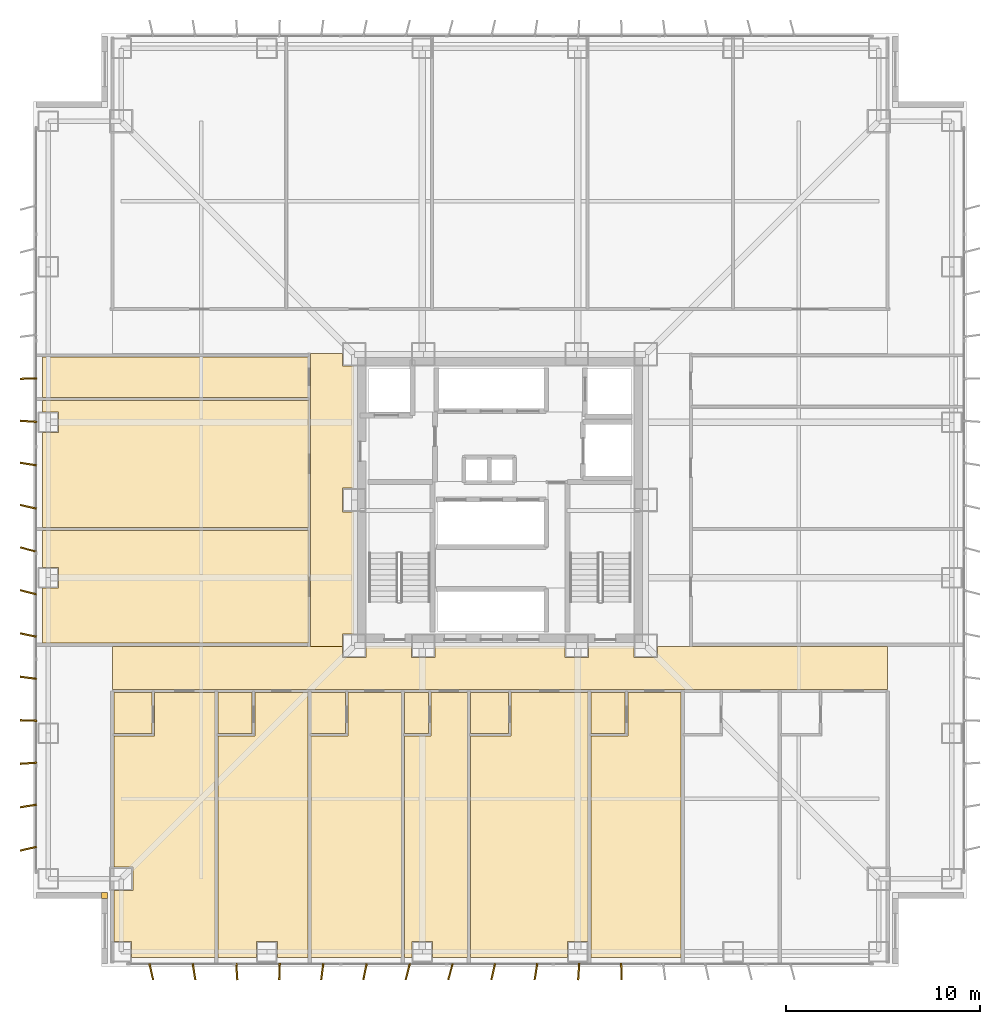
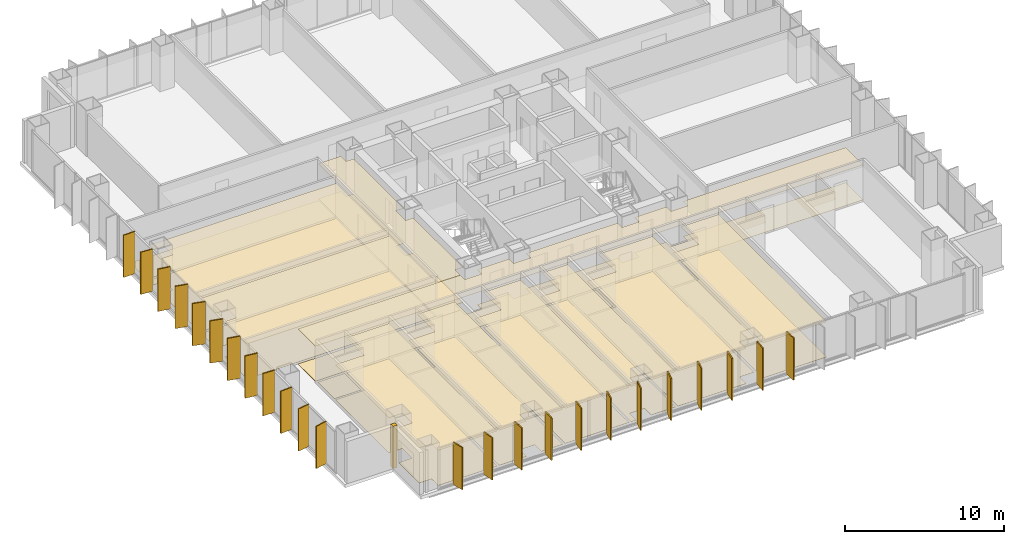
# One storey, part 17 of 19: 28 coverings, 24 shading devices.
"""IFC4 building model written with IfcOpenShell, lengths in metres."""

from ifc_helpers import new_model, si_unit, direction, frame, origin, origin_2d, place, context, subcontext, project, spatial, polyline, rectangle, outline, extrude, material, layer, layer_set, type_object, element, save


model = new_model("IFC4")

# Units and contexts
model_context = context("Model", 3, precision=1e-05, world=origin(), true_north=direction((0.0, 1.0)))
body_context = subcontext(model_context, "Body", "Model", "MODEL_VIEW")
ifc_project = project(units=[si_unit("LENGTHUNIT", "METRE"), si_unit("AREAUNIT", "SQUARE_METRE"), si_unit("VOLUMEUNIT", "CUBIC_METRE"), si_unit("PLANEANGLEUNIT", "RADIAN"), si_unit("MASSUNIT", "GRAM", prefix="KILO")], contexts=[model_context])

# Site, building, storey
site_placement = place(None, origin())
site = spatial("IfcSite", under=ifc_project, at=site_placement, CompositionType="ELEMENT")
building_placement = place(site_placement, origin())
building = spatial("IfcBuilding", under=site, at=building_placement, Name="Trevonay Congress Spire", CompositionType="ELEMENT")
storey_placement = place(building_placement, frame((0.0, 0.0, 58.5)))
storey = spatial("IfcBuildingStorey", under=building, at=storey_placement, Name="L14", CompositionType="ELEMENT", Elevation=58.5)

# Coverings
ifc_material_1 = material(Name="Acoustic Mineral Fibre Board", Category="gypsum")
ifc_layer_1 = layer(ifc_material_1, 0.02490234375, Name="Acoustic Mineral Fibre Board")
ifc_layer_set_1 = layer_set([ifc_layer_1], Name="Acoustic Mineral Fibre Board")
covering_type_1 = type_object("IfcCoveringType", Name="COV-CEIL-ACOUSTIC", PredefinedType="CEILING", material=ifc_layer_set_1)
covering_1_placement = place(storey_placement, frame((0.0, 0.0, 2.699951171875)))
element("IfcCovering", 1, at=covering_1_placement, inside=storey, type_object=covering_type_1, Name="L14 Hotel Floor Corridor South acoustic suspended ceiling", PredefinedType="CEILING", context=body_context, shape_type="SweptSolid", body=[
    extrude(outline(polyline([(19.949951171875, -7.550048828125), (19.949951171875, -9.75), (-19.949951171875, -9.75), (-19.949951171875, -7.550048828125), (-8.110107421875, -7.550048828125), (-8.110107421875, -8.110107421875), (-6.889892578125, -8.110107421875), (-6.889892578125, -7.550048828125), (-4.56005859375, -7.550048828125), (-4.56005859375, -8.110107421875), (-3.340087890625, -8.110107421875), (-3.340087890625, -7.550048828125), (3.340087890625, -7.550048828125), (3.340087890625, -8.110107421875), (4.56005859375, -8.110107421875), (4.56005859375, -7.550048828125), (6.889892578125, -7.550048828125), (6.889892578125, -8.110107421875), (8.110107421875, -8.110107421875), (8.110107421875, -7.550048828125), (19.949951171875, -7.550048828125)])), origin(), (0.0, 0.0, 1.0), 0.025146484375),
])
covering_2_placement = place(storey_placement, frame((0.0, 0.0, 2.699951171875)))
element("IfcCovering", 2, at=covering_2_placement, inside=storey, type_object=covering_type_1, Name="L14 Hotel Floor Corridor West acoustic suspended ceiling", PredefinedType="CEILING", context=body_context, shape_type="SweptSolid", body=[
    extrude(outline(polyline([(-9.75, 7.550048828125), (-8.110107421875, 7.550048828125), (-8.110107421875, 6.889892578125), (-7.550048828125, 6.889892578125), (-7.550048828125, 0.610107421875), (-8.110107421875, 0.610107421875), (-8.110107421875, -0.610107421875), (-7.550048828125, -0.610107421875), (-7.550048828125, -6.889892578125), (-8.110107421875, -6.889892578125), (-8.110107421875, -7.550048828125), (-9.75, -7.550048828125), (-9.75, 7.550048828125)])), origin(), (0.0, 0.0, 1.0), 0.025146484375),
])
covering_3_placement = place(storey_placement, frame((0.0, 0.0, 2.699951171875)))
element("IfcCovering", 3, at=covering_3_placement, inside=storey, type_object=covering_type_1, Name="L14 Hotel Guest Room acoustic suspended ceiling", PredefinedType="CEILING", context=body_context, shape_type="SweptSolid", body=[
    extrude(outline(polyline([(-19.8701171875, -12.139892578125), (-17.780029296875, -12.139892578125), (-17.780029296875, -9.909912109375), (-14.679931640625, -9.909912109375), (-14.679931640625, -23.550048828125), (-18.965087890625, -23.550048828125), (-18.965087890625, -22.715087890625), (-19.8701171875, -22.715087890625), (-19.8701171875, -20.110107421875), (-18.889892578125, -20.110107421875), (-18.889892578125, -18.889892578125), (-19.8701171875, -18.889892578125), (-19.8701171875, -12.139892578125)])), origin(), (0.0, 0.0, 1.0), 0.025146484375),
])
covering_4_placement = place(storey_placement, frame((0.0, 0.0, 2.699951171875)))
element("IfcCovering", 4, at=covering_4_placement, inside=storey, type_object=covering_type_1, Name="L14 Corner Hotel Suite acoustic suspended ceiling", PredefinedType="CEILING", context=body_context, shape_type="SweptSolid", body=[
    extrude(outline(polyline([(-14.52001953125, -23.550048828125), (-14.52001953125, -12.139892578125), (-12.616943359375, -12.139892578125), (-12.616943359375, -9.909912109375), (-9.8798828125, -9.909912109375), (-9.8798828125, -23.550048828125), (-11.465087890625, -23.550048828125), (-11.465087890625, -22.715087890625), (-12.534912109375, -22.715087890625), (-12.534912109375, -23.550048828125), (-14.52001953125, -23.550048828125)])), origin(), (0.0, 0.0, 1.0), 0.025146484375),
])
covering_5_placement = place(storey_placement, frame((0.0, 0.0, 2.699951171875)))
element("IfcCovering", 5, at=covering_5_placement, inside=storey, type_object=covering_type_1, Name="L14 Hotel Guest Room acoustic suspended ceiling", PredefinedType="CEILING", context=body_context, shape_type="SweptSolid", body=[
    extrude(outline(polyline([(-9.719970703125, -23.550048828125), (-5.080078125, -23.550048828125), (-5.080078125, -9.909912109375), (-7.81689453125, -9.909912109375), (-7.81689453125, -12.139892578125), (-9.719970703125, -12.139892578125), (-9.719970703125, -23.550048828125)])), origin(), (0.0, 0.0, 1.0), 0.025146484375),
])
covering_6_placement = place(storey_placement, frame((0.0, 0.0, 2.699951171875)))
element("IfcCovering", 6, at=covering_6_placement, inside=storey, type_object=covering_type_1, Name="L14 Hotel Guest Room acoustic suspended ceiling", PredefinedType="CEILING", context=body_context, shape_type="SweptSolid", body=[
    extrude(outline(polyline([(-4.919921875, -23.550048828125), (-4.919921875, -12.139892578125), (-3.549072265625, -12.139892578125), (-3.549072265625, -9.909912109375), (-1.679931640625, -9.909912109375), (-1.679931640625, -23.550048828125), (-3.465087890625, -23.550048828125), (-3.465087890625, -22.715087890625), (-4.534912109375, -22.715087890625), (-4.534912109375, -23.550048828125), (-4.919921875, -23.550048828125)])), origin(), (0.0, 0.0, 1.0), 0.025146484375),
])
covering_7_placement = place(storey_placement, frame((0.0, 0.0, 2.699951171875)))
element("IfcCovering", 7, at=covering_7_placement, inside=storey, type_object=covering_type_1, Name="L14 Hotel Guest Room acoustic suspended ceiling", PredefinedType="CEILING", context=body_context, shape_type="SweptSolid", body=[
    extrude(outline(polyline([(-1.52001953125, -23.550048828125), (-1.52001953125, -12.139892578125), (0.570068359375, -12.139892578125), (0.570068359375, -9.909912109375), (4.52001953125, -9.909912109375), (4.52001953125, -22.715087890625), (3.465087890625, -22.715087890625), (3.465087890625, -23.550048828125), (-1.52001953125, -23.550048828125)])), origin(), (0.0, 0.0, 1.0), 0.025146484375),
])
covering_8_placement = place(storey_placement, frame((0.0, 0.0, 2.699951171875)))
element("IfcCovering", 8, at=covering_8_placement, inside=storey, type_object=covering_type_1, Name="L14 Hotel Guest Room acoustic suspended ceiling", PredefinedType="CEILING", context=body_context, shape_type="SweptSolid", body=[
    extrude(outline(polyline([(4.679931640625, -23.550048828125), (9.320068359375, -23.550048828125), (9.320068359375, -9.909912109375), (6.5830078125, -9.909912109375), (6.5830078125, -12.139892578125), (4.679931640625, -12.139892578125), (4.679931640625, -23.550048828125)])), origin(), (0.0, 0.0, 1.0), 0.025146484375),
])
covering_9_placement = place(storey_placement, frame((0.0, 0.0, 2.699951171875)))
element("IfcCovering", 9, at=covering_9_placement, inside=storey, type_object=covering_type_1, Name="L14 Club Concierge Office acoustic suspended ceiling", PredefinedType="CEILING", context=body_context, shape_type="SweptSolid", body=[
    extrude(outline(polyline([(-23.550048828125, -1.580078125), (-9.830078125, -1.580078125), (-9.830078125, -7.3701171875), (-23.550048828125, -7.3701171875), (-23.550048828125, -4.534912109375), (-22.715087890625, -4.534912109375), (-22.715087890625, -3.465087890625), (-23.550048828125, -3.465087890625), (-23.550048828125, -1.580078125)])), origin(), (0.0, 0.0, 1.0), 0.025146484375),
])
covering_10_placement = place(storey_placement, frame((0.0, 0.0, 2.699951171875)))
element("IfcCovering", 10, at=covering_10_placement, inside=storey, type_object=covering_type_1, Name="L14 Protocol Briefing Office acoustic suspended ceiling", PredefinedType="CEILING", context=body_context, shape_type="SweptSolid", body=[
    extrude(outline(polyline([(-23.550048828125, 5.1201171875), (-9.830078125, 5.1201171875), (-9.830078125, -1.419921875), (-23.550048828125, -1.419921875), (-23.550048828125, 3.465087890625), (-22.715087890625, 3.465087890625), (-22.715087890625, 4.534912109375), (-23.550048828125, 4.534912109375), (-23.550048828125, 5.1201171875)])), origin(), (0.0, 0.0, 1.0), 0.025146484375),
])
ifc_material_2 = material(Name="Polished Granite Floor Tile", Category="masonry")
ifc_layer_2 = layer(ifc_material_2, 0.02001953125, Name="Polished Granite Floor Tile")
ifc_layer_set_2 = layer_set([ifc_layer_2], Name="Polished Granite Floor Tile")
covering_type_2 = type_object("IfcCoveringType", Name="COV-FLOOR-STONE", PredefinedType="FLOORING", material=ifc_layer_set_2)
covering_11_placement = place(storey_placement, origin())
element("IfcCovering", 11, at=covering_11_placement, inside=storey, type_object=covering_type_2, Name="L14 Hotel Floor Corridor South floor finish", PredefinedType="FLOORING", context=body_context, shape_type="SweptSolid", body=[
    extrude(outline(polyline([(19.949951171875, -7.550048828125), (19.949951171875, -9.75), (-19.949951171875, -9.75), (-19.949951171875, -7.550048828125), (-8.110107421875, -7.550048828125), (-8.110107421875, -8.110107421875), (-6.889892578125, -8.110107421875), (-6.889892578125, -7.550048828125), (-4.56005859375, -7.550048828125), (-4.56005859375, -8.110107421875), (-3.340087890625, -8.110107421875), (-3.340087890625, -7.550048828125), (3.340087890625, -7.550048828125), (3.340087890625, -8.110107421875), (4.56005859375, -8.110107421875), (4.56005859375, -7.550048828125), (6.889892578125, -7.550048828125), (6.889892578125, -8.110107421875), (8.110107421875, -8.110107421875), (8.110107421875, -7.550048828125), (19.949951171875, -7.550048828125)])), origin(), (0.0, 0.0, 1.0), 0.02001953125),
])
covering_12_placement = place(storey_placement, origin())
element("IfcCovering", 12, at=covering_12_placement, inside=storey, type_object=covering_type_2, Name="L14 Hotel Floor Corridor West floor finish", PredefinedType="FLOORING", context=body_context, shape_type="SweptSolid", body=[
    extrude(outline(polyline([(-9.75, 7.550048828125), (-8.110107421875, 7.550048828125), (-8.110107421875, 6.889892578125), (-7.550048828125, 6.889892578125), (-7.550048828125, 0.610107421875), (-8.110107421875, 0.610107421875), (-8.110107421875, -0.610107421875), (-7.550048828125, -0.610107421875), (-7.550048828125, -6.889892578125), (-8.110107421875, -6.889892578125), (-8.110107421875, -7.550048828125), (-9.75, -7.550048828125), (-9.75, 7.550048828125)])), origin(), (0.0, 0.0, 1.0), 0.02001953125),
])
covering_13_placement = place(storey_placement, origin())
element("IfcCovering", 13, at=covering_13_placement, inside=storey, type_object=covering_type_2, Name="L14 En-suite Bathroom floor finish", PredefinedType="FLOORING", context=body_context, shape_type="SweptSolid", body=[
    extrude(outline(polyline([(-19.8701171875, -12.02001953125), (-17.919921875, -12.02001953125), (-17.919921875, -9.909912109375), (-19.8701171875, -9.909912109375), (-19.8701171875, -12.02001953125)])), origin(), (0.0, 0.0, 1.0), 0.02001953125),
])
covering_14_placement = place(storey_placement, origin())
element("IfcCovering", 14, at=covering_14_placement, inside=storey, type_object=covering_type_2, Name="L14 En-suite Bathroom floor finish", PredefinedType="FLOORING", context=body_context, shape_type="SweptSolid", body=[
    extrude(outline(polyline([(-14.52001953125, -12.02001953125), (-12.757080078125, -12.02001953125), (-12.757080078125, -9.909912109375), (-14.52001953125, -9.909912109375), (-14.52001953125, -12.02001953125)])), origin(), (0.0, 0.0, 1.0), 0.02001953125),
])
covering_15_placement = place(storey_placement, origin())
element("IfcCovering", 15, at=covering_15_placement, inside=storey, type_object=covering_type_2, Name="L14 En-suite Bathroom floor finish", PredefinedType="FLOORING", context=body_context, shape_type="SweptSolid", body=[
    extrude(outline(polyline([(-9.719970703125, -12.02001953125), (-7.95703125, -12.02001953125), (-7.95703125, -9.909912109375), (-9.719970703125, -9.909912109375), (-9.719970703125, -12.02001953125)])), origin(), (0.0, 0.0, 1.0), 0.02001953125),
])
covering_16_placement = place(storey_placement, origin())
element("IfcCovering", 16, at=covering_16_placement, inside=storey, type_object=covering_type_2, Name="L14 En-suite Bathroom floor finish", PredefinedType="FLOORING", context=body_context, shape_type="SweptSolid", body=[
    extrude(outline(polyline([(-4.919921875, -12.02001953125), (-3.68896484375, -12.02001953125), (-3.68896484375, -9.909912109375), (-4.919921875, -9.909912109375), (-4.919921875, -12.02001953125)])), origin(), (0.0, 0.0, 1.0), 0.02001953125),
])
covering_17_placement = place(storey_placement, origin())
element("IfcCovering", 17, at=covering_17_placement, inside=storey, type_object=covering_type_2, Name="L14 En-suite Bathroom floor finish", PredefinedType="FLOORING", context=body_context, shape_type="SweptSolid", body=[
    extrude(outline(polyline([(-1.52001953125, -12.02001953125), (0.429931640625, -12.02001953125), (0.429931640625, -9.909912109375), (-1.52001953125, -9.909912109375), (-1.52001953125, -12.02001953125)])), origin(), (0.0, 0.0, 1.0), 0.02001953125),
])
covering_18_placement = place(storey_placement, origin())
element("IfcCovering", 18, at=covering_18_placement, inside=storey, type_object=covering_type_2, Name="L14 En-suite Bathroom floor finish", PredefinedType="FLOORING", context=body_context, shape_type="SweptSolid", body=[
    extrude(outline(polyline([(4.679931640625, -12.02001953125), (6.443115234375, -12.02001953125), (6.443115234375, -9.909912109375), (4.679931640625, -9.909912109375), (4.679931640625, -12.02001953125)])), origin(), (0.0, 0.0, 1.0), 0.02001953125),
])
covering_19_placement = place(storey_placement, origin())
element("IfcCovering", 19, at=covering_19_placement, inside=storey, type_object=covering_type_2, Name="L14 Accessible WC floor finish", PredefinedType="FLOORING", context=body_context, shape_type="SweptSolid", body=[
    extrude(outline(polyline([(-23.550048828125, 5.280029296875), (-9.830078125, 5.280029296875), (-9.830078125, 7.3701171875), (-23.550048828125, 7.3701171875), (-23.550048828125, 5.280029296875)])), origin(), (0.0, 0.0, 1.0), 0.02001953125),
])
ifc_material_3 = material(Name="Engineered Oak Flooring", Category="wood")
ifc_layer_3 = layer(ifc_material_3, 0.01806640625, Name="Engineered Oak Flooring")
ifc_layer_set_3 = layer_set([ifc_layer_3], Name="Engineered Oak Flooring")
covering_type_3 = type_object("IfcCoveringType", Name="COV-FLOOR-TIMBER", PredefinedType="FLOORING", material=ifc_layer_set_3)
covering_20_placement = place(storey_placement, origin())
element("IfcCovering", 20, at=covering_20_placement, inside=storey, type_object=covering_type_3, Name="L14 Hotel Guest Room floor finish", PredefinedType="FLOORING", context=body_context, shape_type="SweptSolid", body=[
    extrude(outline(polyline([(-19.8701171875, -12.139892578125), (-17.780029296875, -12.139892578125), (-17.780029296875, -9.909912109375), (-14.679931640625, -9.909912109375), (-14.679931640625, -23.550048828125), (-18.965087890625, -23.550048828125), (-18.965087890625, -22.715087890625), (-19.8701171875, -22.715087890625), (-19.8701171875, -20.110107421875), (-18.889892578125, -20.110107421875), (-18.889892578125, -18.889892578125), (-19.8701171875, -18.889892578125), (-19.8701171875, -12.139892578125)])), origin(), (0.0, 0.0, 1.0), 0.01806640625),
])
covering_21_placement = place(storey_placement, origin())
element("IfcCovering", 21, at=covering_21_placement, inside=storey, type_object=covering_type_3, Name="L14 Corner Hotel Suite floor finish", PredefinedType="FLOORING", context=body_context, shape_type="SweptSolid", body=[
    extrude(outline(polyline([(-14.52001953125, -23.550048828125), (-14.52001953125, -12.139892578125), (-12.616943359375, -12.139892578125), (-12.616943359375, -9.909912109375), (-9.8798828125, -9.909912109375), (-9.8798828125, -23.550048828125), (-11.465087890625, -23.550048828125), (-11.465087890625, -22.715087890625), (-12.534912109375, -22.715087890625), (-12.534912109375, -23.550048828125), (-14.52001953125, -23.550048828125)])), origin(), (0.0, 0.0, 1.0), 0.01806640625),
])
covering_22_placement = place(storey_placement, origin())
element("IfcCovering", 22, at=covering_22_placement, inside=storey, type_object=covering_type_3, Name="L14 Hotel Guest Room floor finish", PredefinedType="FLOORING", context=body_context, shape_type="SweptSolid", body=[
    extrude(outline(polyline([(-9.719970703125, -23.550048828125), (-5.080078125, -23.550048828125), (-5.080078125, -9.909912109375), (-7.81689453125, -9.909912109375), (-7.81689453125, -12.139892578125), (-9.719970703125, -12.139892578125), (-9.719970703125, -23.550048828125)])), origin(), (0.0, 0.0, 1.0), 0.01806640625),
])
covering_23_placement = place(storey_placement, origin())
element("IfcCovering", 23, at=covering_23_placement, inside=storey, type_object=covering_type_3, Name="L14 Hotel Guest Room floor finish", PredefinedType="FLOORING", context=body_context, shape_type="SweptSolid", body=[
    extrude(outline(polyline([(-4.919921875, -23.550048828125), (-4.919921875, -12.139892578125), (-3.549072265625, -12.139892578125), (-3.549072265625, -9.909912109375), (-1.679931640625, -9.909912109375), (-1.679931640625, -23.550048828125), (-3.465087890625, -23.550048828125), (-3.465087890625, -22.715087890625), (-4.534912109375, -22.715087890625), (-4.534912109375, -23.550048828125), (-4.919921875, -23.550048828125)])), origin(), (0.0, 0.0, 1.0), 0.01806640625),
])
covering_24_placement = place(storey_placement, origin())
element("IfcCovering", 24, at=covering_24_placement, inside=storey, type_object=covering_type_3, Name="L14 Hotel Guest Room floor finish", PredefinedType="FLOORING", context=body_context, shape_type="SweptSolid", body=[
    extrude(outline(polyline([(-1.52001953125, -23.550048828125), (-1.52001953125, -12.139892578125), (0.570068359375, -12.139892578125), (0.570068359375, -9.909912109375), (4.52001953125, -9.909912109375), (4.52001953125, -22.715087890625), (3.465087890625, -22.715087890625), (3.465087890625, -23.550048828125), (-1.52001953125, -23.550048828125)])), origin(), (0.0, 0.0, 1.0), 0.01806640625),
])
covering_25_placement = place(storey_placement, origin())
element("IfcCovering", 25, at=covering_25_placement, inside=storey, type_object=covering_type_3, Name="L14 Hotel Guest Room floor finish", PredefinedType="FLOORING", context=body_context, shape_type="SweptSolid", body=[
    extrude(outline(polyline([(4.679931640625, -23.550048828125), (9.320068359375, -23.550048828125), (9.320068359375, -9.909912109375), (6.5830078125, -9.909912109375), (6.5830078125, -12.139892578125), (4.679931640625, -12.139892578125), (4.679931640625, -23.550048828125)])), origin(), (0.0, 0.0, 1.0), 0.01806640625),
])
covering_26_placement = place(storey_placement, origin())
element("IfcCovering", 26, at=covering_26_placement, inside=storey, type_object=covering_type_3, Name="L14 Club Concierge Office floor finish", PredefinedType="FLOORING", context=body_context, shape_type="SweptSolid", body=[
    extrude(outline(polyline([(-23.550048828125, -1.580078125), (-9.830078125, -1.580078125), (-9.830078125, -7.3701171875), (-23.550048828125, -7.3701171875), (-23.550048828125, -4.534912109375), (-22.715087890625, -4.534912109375), (-22.715087890625, -3.465087890625), (-23.550048828125, -3.465087890625), (-23.550048828125, -1.580078125)])), origin(), (0.0, 0.0, 1.0), 0.01806640625),
])
covering_27_placement = place(storey_placement, origin())
element("IfcCovering", 27, at=covering_27_placement, inside=storey, type_object=covering_type_3, Name="L14 Protocol Briefing Office floor finish", PredefinedType="FLOORING", context=body_context, shape_type="SweptSolid", body=[
    extrude(outline(polyline([(-23.550048828125, 5.1201171875), (-9.830078125, 5.1201171875), (-9.830078125, -1.419921875), (-23.550048828125, -1.419921875), (-23.550048828125, 3.465087890625), (-22.715087890625, 3.465087890625), (-22.715087890625, 4.534912109375), (-23.550048828125, 4.534912109375), (-23.550048828125, 5.1201171875)])), origin(), (0.0, 0.0, 1.0), 0.01806640625),
])
ifc_material_4 = material(Name="Pale Anodised Aluminium EN AW-6063-T6", Category="aluminium")
ifc_layer_4 = layer(ifc_material_4, 0.0400390625, Name="Pale Anodised Aluminium EN AW-6063-T6")
ifc_layer_set_4 = layer_set([ifc_layer_4], Name="Pale Anodised Aluminium EN AW-6063-T6")
covering_type_4 = type_object("IfcCoveringType", Name="COV-SPANDREL-PALE-METAL", PredefinedType="CLADDING", material=ifc_layer_set_4)
covering_28_placement = place(storey_placement, origin())
element("IfcCovering", 28, at=covering_28_placement, inside=storey, type_object=covering_type_4, Name="L14 SW re-entrant notch corner closure trim", PredefinedType="CLADDING", context=body_context, shape_type="SweptSolid", body=[
    extrude(outline(polyline([(-20.5, -20.5), (-20.199951171875, -20.5), (-20.199951171875, -20.199951171875), (-20.5, -20.199951171875), (-20.5, -20.5)])), origin(), (0.0, 0.0, 1.0), 3.25),
])

# Shading devices
shading_device_type = type_object("IfcShadingDeviceType", Name="SHD-FIN-Z1-PALE-METAL", PredefinedType="USERDEFINED", material=ifc_material_4)
for number, where, z_axis, x_axis, name in (
    (29, (-17.949951171875, -24.280029296875, 0.0), (0.0, 0.0, 1.0), (0.97440931131, 0.224780991261, 0.0), "L14 S vertical pale-metal solar fin 1"),
    (30, (-15.75, -24.280029296875, 0.0), (0.0, 0.0, 1.0), (0.987330860032, 0.158675054211, 0.0), "L14 S vertical pale-metal solar fin 2"),
    (31, (-13.550048828125, -24.280029296875, 0.0), (0.0, 0.0, 1.0), (0.997707959868, 0.067667029017, 0.0), "L14 S vertical pale-metal solar fin 3"),
    (32, (-11.35009765625, -24.280029296875, 0.0), (0.0, 0.0, 1.0), (0.999414947917, -0.034201781837, 0.0), "L14 S vertical pale-metal solar fin 4"),
    (33, (-9.14990234375, -24.280029296875, 0.0), (0.0, 0.0, 1.0), (0.991444861374, -0.13052619222, 0.0), "L14 S vertical pale-metal solar fin 5"),
    (34, (-6.949951171875, -24.280029296875, 0.0), (0.0, 0.0, 1.0), (0.978508985102, -0.206204185397, 0.0), "L14 S vertical pale-metal solar fin 6"),
    (35, (-4.75, -24.280029296875, 0.0), (0.0, 0.0, 1.0), (0.968191325187, -0.250211026602, 0.0), "L14 S vertical pale-metal solar fin 7"),
    (36, (-2.550048828125, -24.280029296875, 0.0), (0.0, 0.0, 1.0), (0.966510581262, -0.256626764599, 0.0), "L14 S vertical pale-metal solar fin 8"),
    (37, (-0.35009765625, -24.280029296875, 0.0), (0.0, 0.0, 1.0), (0.97440931131, -0.224780991261, 0.0), "L14 S vertical pale-metal solar fin 9"),
    (38, (1.85009765625, -24.280029296875, 0.0), (0.0, 0.0, 1.0), (0.987330860032, -0.158675054211, 0.0), "L14 S vertical pale-metal solar fin 10"),
    (39, (4.050048828125, -24.280029296875, 0.0), (0.0, 0.0, 1.0), (0.997707959868, -0.067667029017, 0.0), "L14 S vertical pale-metal solar fin 11"),
    (40, (6.25, -24.280029296875, 0.0), (0.0, 0.0, 1.0), (0.999414947917, 0.034201781837, 0.0), "L14 S vertical pale-metal solar fin 12"),
    (41, (-24.280029296875, -17.949951171875, 0.0), (0.0, 0.0, 1.0), (-0.224780991261, 0.97440931131, 0.0), "L14 W vertical pale-metal solar fin 1"),
    (42, (-24.280029296875, -15.75, 0.0), (0.0, 0.0, 1.0), (-0.158675054211, 0.987330860032, 0.0), "L14 W vertical pale-metal solar fin 2"),
    (43, (-24.280029296875, -13.550048828125, 0.0), (0.0, 0.0, 1.0), (-0.067667029017, 0.997707959868, 0.0), "L14 W vertical pale-metal solar fin 3"),
    (44, (-24.280029296875, -11.35009765625, 0.0), (0.0, 0.0, 1.0), (0.034201781837, 0.999414947917, 0.0), "L14 W vertical pale-metal solar fin 4"),
    (45, (-24.280029296875, -9.14990234375, 0.0), (0.0, 0.0, 1.0), (0.13052619222, 0.991444861374, 0.0), "L14 W vertical pale-metal solar fin 5"),
    (46, (-24.280029296875, -6.949951171875, 0.0), (0.0, 0.0, 1.0), (0.206204185397, 0.978508985102, 0.0), "L14 W vertical pale-metal solar fin 6"),
    (47, (-24.280029296875, -4.75, 0.0), (0.0, 0.0, 1.0), (0.250211026602, 0.968191325187, 0.0), "L14 W vertical pale-metal solar fin 7"),
    (48, (-24.280029296875, -2.550048828125, 0.0), (0.0, 0.0, 1.0), (0.256626764599, 0.966510581262, 0.0), "L14 W vertical pale-metal solar fin 8"),
    (49, (-24.280029296875, -0.35009765625, 0.0), (0.0, 0.0, 1.0), (0.224780991261, 0.97440931131, 0.0), "L14 W vertical pale-metal solar fin 9"),
    (50, (-24.280029296875, 1.85009765625, 0.0), (0.0, 0.0, 1.0), (0.158675054211, 0.987330860032, 0.0), "L14 W vertical pale-metal solar fin 10"),
    (51, (-24.280029296875, 4.050048828125, 0.0), (0.0, 0.0, 1.0), (0.067667029017, 0.997707959868, 0.0), "L14 W vertical pale-metal solar fin 11"),
    (52, (-24.280029296875, 6.25, 0.0), (0.0, 0.0, 1.0), (-0.034201781837, 0.999414947917, 0.0), "L14 W vertical pale-metal solar fin 12"),
):
    element("IfcShadingDevice", number, at=place(storey_placement, frame(where, z_axis=z_axis, x_axis=x_axis)), inside=storey, type_object=shading_device_type, Name=name, ObjectType="SOLAR FIN", PredefinedType="USERDEFINED", context=body_context, shape_type="SweptSolid", body=[
        extrude(rectangle(XDim=0.080078125, YDim=0.85009765625, at=origin_2d()), origin(), (0.0, 0.0, 1.0), 3.25),
    ])

save(model, "model.ifc")
